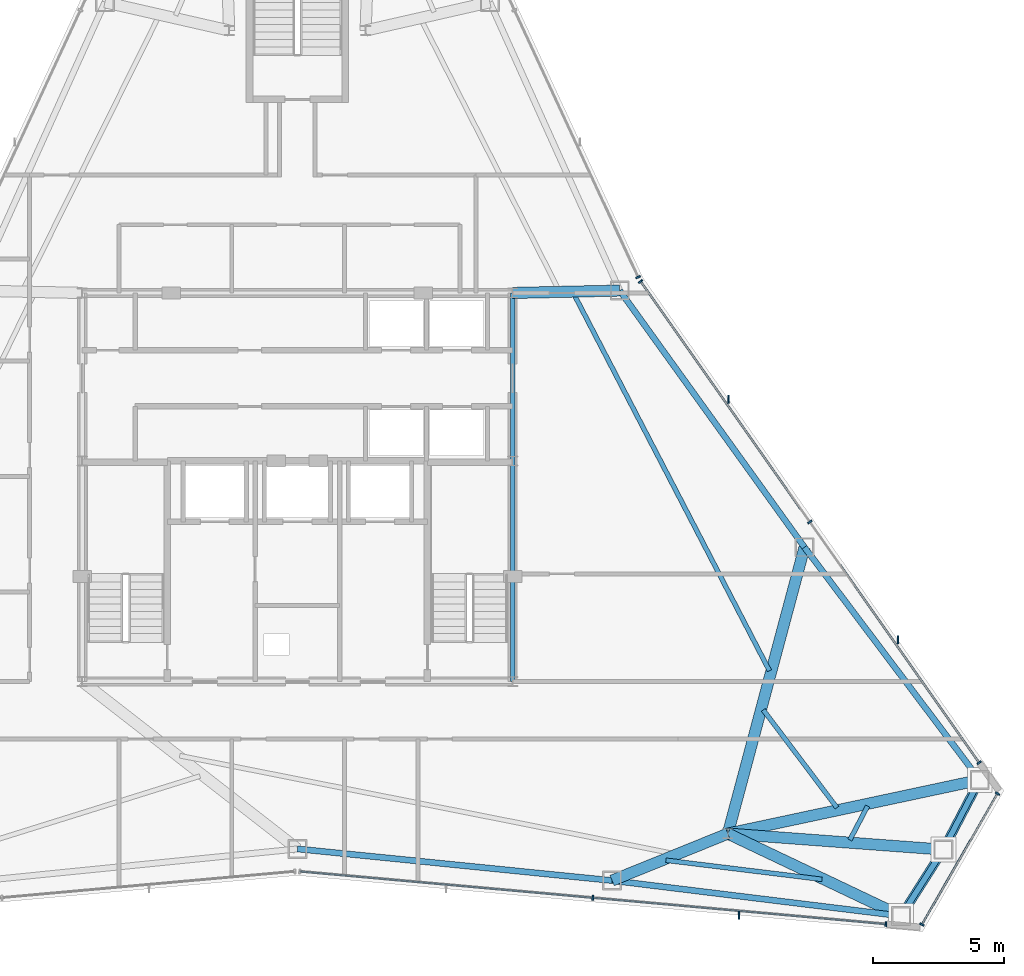
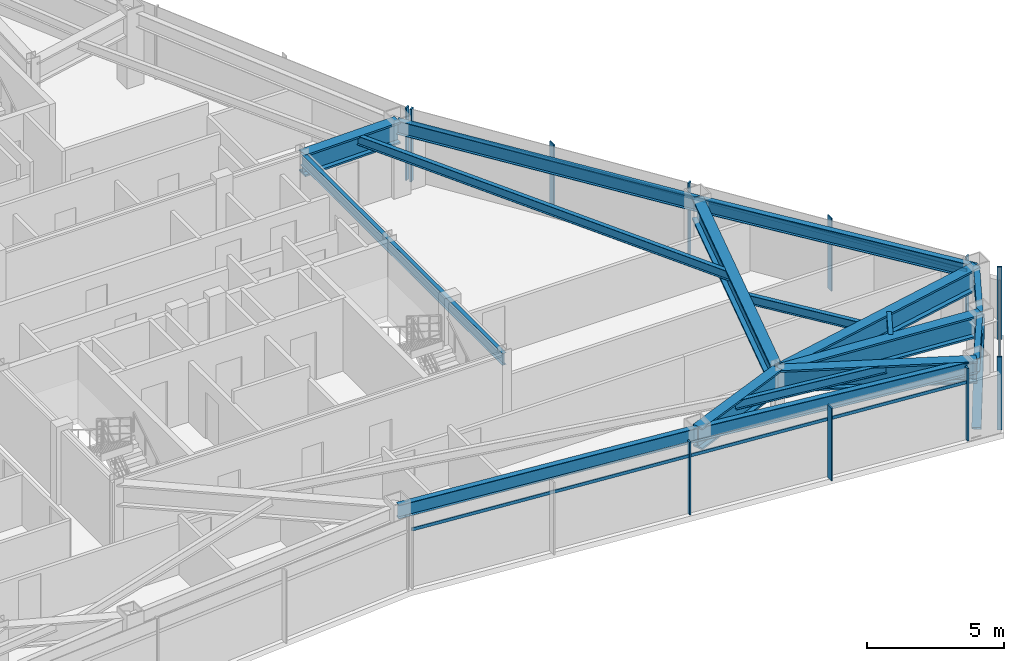
# One storey, part 6 of 12: 17 beams, 16 members, 4 elements without a shape of their own.
"""IFC4 building model written with IfcOpenShell, lengths in metres."""

from ifc_helpers import new_model, si_unit, direction, frame, origin, origin_2d, place, context, subcontext, project, spatial, rectangle, hollow_rectangle, i_section, extrude, source, transform, mapped, material, layer, layer_set, material_profile, profile_set, type_object, type_shapes, element, aggregate, save


model = new_model("IFC4")

# Units and contexts
model_context = context("Model", 3, precision=1e-05, world=origin(), true_north=direction((0.0, 1.0)))
body_context = subcontext(model_context, "Body", "Model", "MODEL_VIEW")
ifc_project = project(units=[si_unit("LENGTHUNIT", "METRE"), si_unit("AREAUNIT", "SQUARE_METRE"), si_unit("VOLUMEUNIT", "CUBIC_METRE"), si_unit("PLANEANGLEUNIT", "RADIAN"), si_unit("MASSUNIT", "GRAM", prefix="KILO")], contexts=[model_context])

# Site, building, storey
site_placement = place(None, origin())
site = spatial("IfcSite", under=ifc_project, at=site_placement, CompositionType="ELEMENT")
building_placement = place(site_placement, origin())
building = spatial("IfcBuilding", under=site, at=building_placement, Name="Varakhsha Concourse Tower", CompositionType="ELEMENT")
storey_placement = place(building_placement, frame((0.0, 0.0, 239.89990234375)))
storey = spatial("IfcBuildingStorey", under=building, at=storey_placement, Name="L68", CompositionType="ELEMENT", Elevation=239.89990234375)

# Beams
ifc_material_1 = material(Name="Structural Steel ASTM A992 Grade 50", Category="steel")
ifc_material_profile_1 = material_profile(ifc_material_1, i_section(OverallWidth=0.177978515625, OverallDepth=0.406982421875, WebThickness=0.008056640625, FlangeThickness=0.012939453125, at=origin_2d()), Name="W16X40")
ifc_profile_set_1 = profile_set([ifc_material_profile_1], Name="Structural Steel ASTM A992 Grade 50")
beam_type_1 = type_object("IfcBeamType", Name="BM-JST-W16X40", PredefinedType="JOIST", material=ifc_profile_set_1)
beam_1_placement = place(storey_placement, frame((54.03955078125, 9.585693359375, 3.046630859375), z_axis=(0.992566519859, -0.121703342826, 0.0), x_axis=(0.121703342826, 0.992566519859, 0.0)))
element("IfcBeam", 1, at=beam_1_placement, inside=storey, type_object=beam_type_1, Name="BM-TJST-L68-12", PredefinedType="JOIST", context=body_context, shape_type="SweptSolid", body=[
    extrude(i_section(OverallWidth=0.177978515625, OverallDepth=0.406982421875, WebThickness=0.008056640625, FlangeThickness=0.012939453125, at=origin_2d()), origin(), (0.0, 0.0, 1.0), 5.994140625),
])
beam_2_placement = place(storey_placement, frame((61.048583984375, 10.356689453125, 3.046630859375), z_axis=(0.463086787363, 0.886312939864, 0.0), x_axis=(-0.886312939864, 0.463086787363, 0.0)))
element("IfcBeam", 2, at=beam_2_placement, inside=storey, type_object=beam_type_1, Name="BM-TJST-L68-14", PredefinedType="JOIST", context=body_context, shape_type="SweptSolid", body=[
    extrude(i_section(OverallWidth=0.177978515625, OverallDepth=0.406982421875, WebThickness=0.008056640625, FlangeThickness=0.012939453125, at=origin_2d()), origin(), (0.0, 0.0, 1.0), 1.457763671875),
])
beam_3_placement = place(storey_placement, frame((60.556640625, 11.58837890625, 3.046630859375), z_axis=(-0.601690995235, 0.798728956689, 0.0), x_axis=(-0.798728956689, -0.601690995235, 0.0)))
element("IfcBeam", 3, at=beam_3_placement, inside=storey, type_object=beam_type_1, Name="BM-TJST-L68-15", PredefinedType="JOIST", context=body_context, shape_type="SweptSolid", body=[
    extrude(i_section(OverallWidth=0.177978515625, OverallDepth=0.406982421875, WebThickness=0.008056640625, FlangeThickness=0.012939453125, at=origin_2d()), origin(), (0.0, 0.0, 1.0), 4.66259765625),
])
beam_4_placement = place(storey_placement, frame((57.98486328125, 16.807373046875, 3.046630859375), z_axis=(-0.460773403454, 0.887517814283, 0.0), x_axis=(-0.887517814283, -0.460773403454, 0.0)))
element("IfcBeam", 4, at=beam_4_placement, inside=storey, type_object=beam_type_1, Name="BM-TJST-L68-16", PredefinedType="JOIST", context=body_context, shape_type="SweptSolid", body=[
    extrude(i_section(OverallWidth=0.177978515625, OverallDepth=0.406982421875, WebThickness=0.008056640625, FlangeThickness=0.012939453125, at=origin_2d()), origin(), (0.0, 0.0, 1.0), 16.1640625),
])
ifc_material_profile_2 = material_profile(ifc_material_1, i_section(OverallWidth=0.1669921875, OverallDepth=0.534912109375, WebThickness=0.010009765625, FlangeThickness=0.01708984375, at=origin_2d()), Name="W21X57")
ifc_profile_set_2 = profile_set([ifc_material_profile_2], Name="Structural Steel ASTM A992 Grade 50")
beam_type_2 = type_object("IfcBeamType", Name="BM-RAD-W21X57", PredefinedType="BEAM", material=ifc_profile_set_2)
beam_5_placement = place(storey_placement, frame((48.199951171875, 16.39990234375, 2.982666015625), z_axis=(0.0, 1.0, 0.0), x_axis=(-1.0, 0.0, 0.0)))
element("IfcBeam", 5, at=beam_5_placement, inside=storey, type_object=beam_type_2, Name="BM-TCORE-L68-CE", PredefinedType="BEAM", context=body_context, shape_type="SweptSolid", body=[
    extrude(i_section(OverallWidth=0.1669921875, OverallDepth=0.534912109375, WebThickness=0.010009765625, FlangeThickness=0.01708984375, at=origin_2d()), origin(), (0.0, 0.0, 1.0), 14.800048828125),
])
ifc_material_profile_3 = material_profile(ifc_material_1, i_section(OverallWidth=0.22900390625, OverallDepth=0.612060546875, WebThickness=0.011962890625, FlangeThickness=0.02001953125, at=origin_2d()), Name="W24X84")
ifc_profile_set_3 = profile_set([ifc_material_profile_3], Name="Structural Steel ASTM A992 Grade 50")
beam_type_3 = type_object("IfcBeamType", Name="BM-SPAN-W24X84", PredefinedType="SPANDREL", material=ifc_profile_set_3)
beam_6_placement = place(storey_placement, frame((40.0, 10.017578125, 2.944091796875), z_axis=(0.994986914397, -0.100005200763, 0.0), x_axis=(0.100005200763, 0.994986914397, 0.0)))
element("IfcBeam", 6, at=beam_6_placement, inside=storey, type_object=beam_type_3, Name="BM-SPAN-L68-11", PredefinedType="SPANDREL", context=body_context, shape_type="SweptSolid", body=[
    extrude(i_section(OverallWidth=0.22900390625, OverallDepth=0.612060546875, WebThickness=0.011962890625, FlangeThickness=0.02001953125, at=origin_2d()), origin(), (0.0, 0.0, 1.0), 12.050048828125),
])
beam_7_placement = place(storey_placement, frame((51.98974609375, 8.8125, 2.944091796875), z_axis=(0.99256557361, -0.121711059831, 0.0), x_axis=(0.121711059831, 0.99256557361, 0.0)))
element("IfcBeam", 7, at=beam_7_placement, inside=storey, type_object=beam_type_3, Name="BM-SPAN-L68-12", PredefinedType="SPANDREL", context=body_context, shape_type="SweptSolid", body=[
    extrude(i_section(OverallWidth=0.22900390625, OverallDepth=0.612060546875, WebThickness=0.011962890625, FlangeThickness=0.02001953125, at=origin_2d()), origin(), (0.0, 0.0, 1.0), 11.0966796875),
])
beam_8_placement = place(storey_placement, frame((63.00390625, 7.4619140625, 2.944091796875), z_axis=(0.536079112656, 0.84416774694, 0.0), x_axis=(-0.84416774694, 0.536079112656, 0.0)))
element("IfcBeam", 8, at=beam_8_placement, inside=storey, type_object=beam_type_3, Name="BM-SPAN-L68-13", PredefinedType="SPANDREL", context=body_context, shape_type="SweptSolid", body=[
    extrude(i_section(OverallWidth=0.22900390625, OverallDepth=0.612060546875, WebThickness=0.011962890625, FlangeThickness=0.02001953125, at=origin_2d()), origin(), (0.0, 0.0, 1.0), 2.99609375),
])
beam_9_placement = place(storey_placement, frame((64.610107421875, 9.9912109375, 2.944091796875), z_axis=(0.462983659194, 0.886366815331, 0.0), x_axis=(-0.886366815331, 0.462983659194, 0.0)))
element("IfcBeam", 9, at=beam_9_placement, inside=storey, type_object=beam_type_3, Name="BM-SPAN-L68-14", PredefinedType="SPANDREL", context=body_context, shape_type="SweptSolid", body=[
    extrude(i_section(OverallWidth=0.22900390625, OverallDepth=0.612060546875, WebThickness=0.011962890625, FlangeThickness=0.02001953125, at=origin_2d()), origin(), (0.0, 0.0, 1.0), 2.996337890625),
])
beam_10_placement = place(storey_placement, frame((65.997314453125, 12.64697265625, 2.944091796875), z_axis=(-0.601674316147, 0.79874152095, 0.0), x_axis=(-0.79874152095, -0.601674316147, 0.0)))
element("IfcBeam", 10, at=beam_10_placement, inside=storey, type_object=beam_type_3, Name="BM-SPAN-L68-15", PredefinedType="SPANDREL", context=body_context, shape_type="SweptSolid", body=[
    extrude(i_section(OverallWidth=0.22900390625, OverallDepth=0.612060546875, WebThickness=0.011962890625, FlangeThickness=0.02001953125, at=origin_2d()), origin(), (0.0, 0.0, 1.0), 11.096435546875),
])
beam_11_placement = place(storey_placement, frame((59.32080078125, 21.51025390625, 2.944091796875), z_axis=(-0.584099757456, 0.811681879396, 0.0), x_axis=(-0.811681879396, -0.584099757456, 0.0)))
element("IfcBeam", 11, at=beam_11_placement, inside=storey, type_object=beam_type_3, Name="BM-SPAN-L68-16", PredefinedType="SPANDREL", context=body_context, shape_type="SweptSolid", body=[
    extrude(i_section(OverallWidth=0.22900390625, OverallDepth=0.612060546875, WebThickness=0.011962890625, FlangeThickness=0.02001953125, at=origin_2d()), origin(), (0.0, 0.0, 1.0), 12.05029296875),
])
ifc_material_profile_4 = material_profile(ifc_material_1, i_section(OverallWidth=0.427978515625, OverallDepth=0.97509765625, WebThickness=0.050048828125, FlangeThickness=0.0810546875, at=origin_2d()), Name="W36X395")
ifc_profile_set_4 = profile_set([ifc_material_profile_4], Name="Structural Steel ASTM A992 Grade 50")
beam_type_4 = type_object("IfcBeamType", Name="BM-XFER-W36X395", PredefinedType="USERDEFINED", material=ifc_profile_set_4)
beam_12_placement = place(storey_placement, frame((56.39990234375, 10.60009765625, 2.7626953125), z_axis=(-0.926761474879, -0.375650327672, 0.0), x_axis=(0.375650327672, -0.926761474879, 0.0)))
element("IfcBeam", 12, at=beam_12_placement, inside=storey, type_object=beam_type_4, Name="L68 Radial Floor Girder 12", ObjectType="GIRDER", PredefinedType="USERDEFINED", context=body_context, shape_type="SweptSolid", body=[
    extrude(i_section(OverallWidth=0.427978515625, OverallDepth=0.97509765625, WebThickness=0.050048828125, FlangeThickness=0.0810546875, at=origin_2d()), origin(), (0.0, 0.0, 1.0), 4.7587890625),
])
beam_13_placement = place(storey_placement, frame((56.39990234375, 10.60009765625, 2.7626953125), z_axis=(0.903209554436, -0.429199837809, 0.0), x_axis=(0.429199837809, 0.903209554436, 0.0)))
element("IfcBeam", 13, at=beam_13_placement, inside=storey, type_object=beam_type_4, Name="L68 Radial Floor Girder 13", ObjectType="GIRDER", PredefinedType="USERDEFINED", context=body_context, shape_type="SweptSolid", body=[
    extrude(i_section(OverallWidth=0.427978515625, OverallDepth=0.97509765625, WebThickness=0.050048828125, FlangeThickness=0.0810546875, at=origin_2d()), origin(), (0.0, 0.0, 1.0), 7.311767578125),
])
beam_14_placement = place(storey_placement, frame((56.39990234375, 10.60009765625, 2.7626953125), z_axis=(0.997261277547, -0.073959071819, 0.0), x_axis=(0.073959071819, 0.997261277547, 0.0)))
element("IfcBeam", 14, at=beam_14_placement, inside=storey, type_object=beam_type_4, Name="L68 Radial Floor Girder 14", ObjectType="GIRDER", PredefinedType="USERDEFINED", context=body_context, shape_type="SweptSolid", body=[
    extrude(i_section(OverallWidth=0.427978515625, OverallDepth=0.97509765625, WebThickness=0.050048828125, FlangeThickness=0.0810546875, at=origin_2d()), origin(), (0.0, 0.0, 1.0), 8.232666015625),
])
beam_15_placement = place(storey_placement, frame((56.39990234375, 10.60009765625, 2.7626953125), z_axis=(0.978004747479, 0.208582630889, 0.0), x_axis=(-0.208582630889, 0.978004747479, 0.0)))
element("IfcBeam", 15, at=beam_15_placement, inside=storey, type_object=beam_type_4, Name="L68 Radial Floor Girder 15", ObjectType="GIRDER", PredefinedType="USERDEFINED", context=body_context, shape_type="SweptSolid", body=[
    extrude(i_section(OverallWidth=0.427978515625, OverallDepth=0.97509765625, WebThickness=0.050048828125, FlangeThickness=0.0810546875, at=origin_2d()), origin(), (0.0, 0.0, 1.0), 9.813232421875),
])
beam_16_placement = place(storey_placement, frame((56.39990234375, 10.60009765625, 2.7626953125), z_axis=(0.258615069027, 0.965980458432, 0.0), x_axis=(-0.965980458432, 0.258615069027, 0.0)))
element("IfcBeam", 16, at=beam_16_placement, inside=storey, type_object=beam_type_4, Name="L68 Radial Floor Girder 16", ObjectType="GIRDER", PredefinedType="USERDEFINED", context=body_context, shape_type="SweptSolid", body=[
    extrude(i_section(OverallWidth=0.427978515625, OverallDepth=0.97509765625, WebThickness=0.050048828125, FlangeThickness=0.0810546875, at=origin_2d()), origin(), (0.0, 0.0, 1.0), 11.29443359375),
])
beam_17_placement = place(storey_placement, frame((48.199951171875, 31.199951171875, 2.7626953125), z_axis=(0.99974995061, 0.022361490433, 0.0), x_axis=(-0.022361490433, 0.99974995061, 0.0)))
element("IfcBeam", 17, at=beam_17_placement, inside=storey, type_object=beam_type_4, Name="L68 Radial Floor Girder 17", ObjectType="GIRDER", PredefinedType="USERDEFINED", context=body_context, shape_type="SweptSolid", body=[
    extrude(i_section(OverallWidth=0.427978515625, OverallDepth=0.97509765625, WebThickness=0.050048828125, FlangeThickness=0.0810546875, at=origin_2d()), origin(), (0.0, 0.0, 1.0), 4.083251953125),
])

# Members
ifc_material_2 = material(Name="Structural Steel ASTM A500 Grade C", Category="steel")
ifc_material_profile_5 = material_profile(ifc_material_2, hollow_rectangle(XDim=0.35009765625, YDim=0.35009765625, WallThickness=0.01611328125, at=origin_2d()), Name="HSS 350x350x16")
ifc_profile_set_5 = profile_set([ifc_material_profile_5], Name="Structural Steel ASTM A500 Grade C")
member_type_1 = type_object("IfcMemberType", Name="MB-TUBE-HSS350", PredefinedType="BRACE", material=ifc_profile_set_5)
shared_shape_1 = source(origin(), body_context, "Body", "SweptSolid", [
    extrude(hollow_rectangle(XDim=0.35009765625, YDim=0.35009765625, WallThickness=0.01611328125, at=origin_2d()), origin(), (0.0, 0.0, 1.0), 4.12158203125),
])
type_shapes(member_type_1, [shared_shape_1])
for number, where, z_axis, x_axis, name in (
    (18, (63.00390625, 7.4619140625, 0.1201171875), (0.38971500648, 0.613687105507, 0.686666112648), (-0.84416774694, 0.536079112656, 0.0), "L68 Wind-Corner Tube Brace B05"),
    (19, (65.997314453125, 12.64697265625, 0.1201171875), (-0.336578258561, -0.644367880434, 0.686662297297), (0.886366815331, -0.462983659194, 0.0), "L68 Wind-Corner Tube Brace B06"),
):
    element("IfcMember", number, at=place(storey_placement, frame(where, z_axis=z_axis, x_axis=x_axis)), inside=storey, type_object=member_type_1, Name=name, PredefinedType="BRACE", context=body_context, shape_type="MappedRepresentation", body=[
        mapped(shared_shape_1, transform((0.0, 0.0, 0.0), scale=1.0)),
    ])

# Curtain wall, members
ifc_material_3 = material(Name="Anodised Bronze Architectural Aluminium AA 6063-T6", Category="aluminium")
ifc_layer = layer(ifc_material_3, 0.199951171875, Name="CW-SYS-05")
ifc_layer_set = layer_set([ifc_layer], Name="Anodised Bronze Architectural Aluminium AA 6063-T6")
curtain_wall_type = type_object("IfcCurtainWallType", Name="CW-SYS-05", PredefinedType="NOTDEFINED", material=ifc_layer_set)
curtain_wall_1_placement = place(storey_placement, origin())
curtain_wall_1 = element("IfcCurtainWall", 20, at=curtain_wall_1_placement, inside=storey, type_object=curtain_wall_type, Name="L68 Crystal Curtain Wall F6", PredefinedType="NOTDEFINED")
ifc_material_profile_6 = material_profile(ifc_material_3, rectangle(XDim=0.06494140625, YDim=0.179931640625, at=origin_2d()), Name="CWM-180X65")
ifc_profile_set_6 = profile_set([ifc_material_profile_6], Name="Anodised Bronze Architectural Aluminium AA 6063-T6")
member_type_2 = type_object("IfcMemberType", Name="CWM-180X65", PredefinedType="MULLION", material=ifc_profile_set_6)
shared_shape_2 = source(origin(), body_context, "Body", "SweptSolid", [
    extrude(rectangle(XDim=0.06494140625, YDim=0.179931640625, at=origin_2d()), origin(), (0.0, 0.0, 1.0), 3.25),
])
type_shapes(member_type_2, [shared_shape_2])
member_1_placement = place(storey_placement, frame((62.422119140625, 7.15283203125, 0.0), z_axis=(0.0, 0.0, 1.0), x_axis=(-0.995992823181, 0.089433193907, 0.0)))
member_1 = element("IfcMember", 21, at=member_1_placement, type_object=member_type_2, Name="CW-L68-F6 Mullion 00", PredefinedType="MULLION", context=body_context, shape_type="MappedRepresentation", body=[
    mapped(shared_shape_2, transform((0.0, 0.0, 0.0), scale=1.0)),
])
member_2_placement = place(storey_placement, frame((51.258056640625, 8.1552734375, 0.0), z_axis=(0.0, 0.0, 1.0), x_axis=(-0.995992823181, 0.089433193907, 0.0)))
member_2 = element("IfcMember", 22, at=member_2_placement, type_object=member_type_2, Name="CW-L68-F6 Mullion 01", PredefinedType="MULLION", context=body_context, shape_type="MappedRepresentation", body=[
    mapped(shared_shape_2, transform((0.0, 0.0, 0.0), scale=1.0)),
])

curtain_wall_2_placement = place(storey_placement, origin())
curtain_wall_2 = element("IfcCurtainWall", 23, at=curtain_wall_2_placement, inside=storey, type_object=curtain_wall_type, Name="L68 Chamfer Curtain Wall F7", PredefinedType="NOTDEFINED")
member_3_placement = place(storey_placement, frame((66.673583984375, 12.12548828125, 0.0), z_axis=(0.0, 0.0, 1.0), x_axis=(-0.499992442484, -0.866029767075, 0.0)))
member_3 = element("IfcMember", 24, at=member_3_placement, type_object=member_type_2, Name="CW-L68-F7 Mullion 00", PredefinedType="MULLION", context=body_context, shape_type="MappedRepresentation", body=[
    mapped(shared_shape_2, transform((0.0, 0.0, 0.0), scale=1.0)),
])
member_4_placement = place(storey_placement, frame((63.793701171875, 7.13720703125, 0.0), z_axis=(0.0, 0.0, 1.0), x_axis=(-0.499992442484, -0.866029767075, 0.0)))
member_4 = element("IfcMember", 25, at=member_4_placement, type_object=member_type_2, Name="CW-L68-F7 Mullion 01", PredefinedType="MULLION", context=body_context, shape_type="MappedRepresentation", body=[
    mapped(shared_shape_2, transform((0.0, 0.0, 0.0), scale=1.0)),
])

curtain_wall_3_placement = place(storey_placement, origin())
curtain_wall_3 = element("IfcCurtainWall", 26, at=curtain_wall_3_placement, inside=storey, type_object=curtain_wall_type, Name="L68 Crystal Curtain Wall F8", PredefinedType="NOTDEFINED")
member_5_placement = place(storey_placement, frame((53.073974609375, 31.6396484375, 0.0), z_axis=(0.0, 0.0, 1.0), x_axis=(0.575443547255, -0.817841502935, 0.0)))
member_5 = element("IfcMember", 27, at=member_5_placement, type_object=member_type_2, Name="CW-L68-F8 Mullion 00", PredefinedType="MULLION", context=body_context, shape_type="MappedRepresentation", body=[
    mapped(shared_shape_2, transform((0.0, 0.0, 0.0), scale=1.0)),
])
member_6_placement = place(storey_placement, frame((59.52392578125, 22.472412109375, 0.0), z_axis=(0.0, 0.0, 1.0), x_axis=(0.575443547255, -0.817841502935, 0.0)))
member_6 = element("IfcMember", 28, at=member_6_placement, type_object=member_type_2, Name="CW-L68-F8 Mullion 01", PredefinedType="MULLION", context=body_context, shape_type="MappedRepresentation", body=[
    mapped(shared_shape_2, transform((0.0, 0.0, 0.0), scale=1.0)),
])
member_7_placement = place(storey_placement, frame((65.97412109375, 13.305419921875, 0.0), z_axis=(0.0, 0.0, 1.0), x_axis=(0.575443547255, -0.817841502935, 0.0)))
member_7 = element("IfcMember", 29, at=member_7_placement, type_object=member_type_2, Name="CW-L68-F8 Mullion 02", PredefinedType="MULLION", context=body_context, shape_type="MappedRepresentation", body=[
    mapped(shared_shape_2, transform((0.0, 0.0, 0.0), scale=1.0)),
])

# Curtain wall, member
curtain_wall_4_placement = place(storey_placement, origin())
curtain_wall_4 = element("IfcCurtainWall", 30, at=curtain_wall_4_placement, inside=storey, type_object=curtain_wall_type, Name="L68 Crystal Curtain Wall F9", PredefinedType="NOTDEFINED")
member_8_placement = place(storey_placement, frame((52.97998046875, 31.802490234375, 0.0), z_axis=(0.0, 0.0, 1.0), x_axis=(0.420546577212, -0.907270949824, 0.0)))
member_8 = element("IfcMember", 31, at=member_8_placement, type_object=member_type_2, Name="CW-L68-F9 Mullion 02", PredefinedType="MULLION", context=body_context, shape_type="MappedRepresentation", body=[
    mapped(shared_shape_2, transform((0.0, 0.0, 0.0), scale=1.0)),
])
aggregate(curtain_wall_4, [member_8])

# Member
ifc_material_profile_7 = material_profile(ifc_material_3, rectangle(XDim=0.054931640625, YDim=0.300048828125, at=origin_2d()), Name="FIN-BRZ-300")
ifc_profile_set_7 = profile_set([ifc_material_profile_7], Name="Anodised Bronze Architectural Aluminium AA 6063-T6")
member_type_3 = type_object("IfcMemberType", Name="FIN-BRZ-300", PredefinedType="USERDEFINED", material=ifc_profile_set_7)
shared_shape_3 = source(origin(), body_context, "Body", "SweptSolid", [
    extrude(rectangle(XDim=0.054931640625, YDim=0.300048828125, at=origin_2d()), origin(), (0.0, 0.0, 1.0), 3.25),
])
type_shapes(member_type_3, [shared_shape_3])
member_9_placement = place(storey_placement, frame((56.825439453125, 7.48974609375, 0.0), z_axis=(0.0, 0.0, 1.0), x_axis=(1.0, 0.0, 0.0)))
member_9 = element("IfcMember", 32, at=member_9_placement, type_object=member_type_3, Name="L68 Anodised Bronze Solar Fin F6-1", ObjectType="SOLAR FIN", PredefinedType="USERDEFINED", context=body_context, shape_type="MappedRepresentation", body=[
    mapped(shared_shape_3, transform((0.0, 0.0, 0.0), scale=1.0)),
])

member_10_placement = place(storey_placement, frame((56.433837890625, 27.15087890625, 0.0), z_axis=(0.0, 0.0, 1.0), x_axis=(1.0, 0.0, 0.0)))
member_10 = element("IfcMember", 33, at=member_10_placement, type_object=member_type_3, Name="L68 Anodised Bronze Solar Fin F8-1", ObjectType="SOLAR FIN", PredefinedType="USERDEFINED", context=body_context, shape_type="MappedRepresentation", body=[
    mapped(shared_shape_3, transform((0.0, 0.0, 0.0), scale=1.0)),
])

member_11_placement = place(storey_placement, frame((62.884033203125, 17.98388671875, 0.0), z_axis=(0.0, 0.0, 1.0), x_axis=(1.0, 0.0, 0.0)))
member_11 = element("IfcMember", 34, at=member_11_placement, type_object=member_type_3, Name="L68 Anodised Bronze Solar Fin F8-2", ObjectType="SOLAR FIN", PredefinedType="USERDEFINED", context=body_context, shape_type="MappedRepresentation", body=[
    mapped(shared_shape_3, transform((0.0, 0.0, 0.0), scale=1.0)),
])

ifc_material_profile_8 = material_profile(ifc_material_3, rectangle(XDim=0.06005859375, YDim=0.139892578125, at=origin_2d()), Name="CWT-140X60")
ifc_profile_set_8 = profile_set([ifc_material_profile_8], Name="Anodised Bronze Architectural Aluminium AA 6063-T6")
member_type_4 = type_object("IfcMemberType", Name="CWT-140X60", PredefinedType="USERDEFINED", material=ifc_profile_set_8)
shared_shape_4 = source(origin(), body_context, "Body", "SweptSolid", [
    extrude(rectangle(XDim=0.06005859375, YDim=0.139892578125, at=origin_2d()), origin(), (0.0, 0.0, 1.0), 22.41796875),
])
member_12_placement = place(storey_placement, frame((62.422119140625, 7.15283203125, 2.60009765625), z_axis=(-0.995992929457, 0.08943201033, 0.0), x_axis=(-0.08943201033, -0.995992929457, 0.0)))
member_12 = element("IfcMember", 35, at=member_12_placement, type_object=member_type_4, Name="CW-L68-F6 Transom 01", ObjectType="TRANSOM", PredefinedType="USERDEFINED", context=body_context, shape_type="MappedRepresentation", body=[
    mapped(shared_shape_4, transform((0.0, 0.0, 0.0), scale=1.0)),
])

aggregate(curtain_wall_1, [member_1, member_2, member_12, member_9])

shared_shape_5 = source(origin(), body_context, "Body", "SweptSolid", [
    extrude(rectangle(XDim=0.06005859375, YDim=0.139892578125, at=origin_2d()), origin(), (0.0, 0.0, 1.0), 22.417724609375),
])
member_13_placement = place(storey_placement, frame((53.073974609375, 31.6396484375, 2.60009765625), z_axis=(0.575442149843, -0.81784248617, 0.0), x_axis=(0.81784248617, 0.575442149843, 0.0)))
member_13 = element("IfcMember", 36, at=member_13_placement, type_object=member_type_4, Name="CW-L68-F8 Transom 01", ObjectType="TRANSOM", PredefinedType="USERDEFINED", context=body_context, shape_type="MappedRepresentation", body=[
    mapped(shared_shape_5, transform((0.0, 0.0, 0.0), scale=1.0)),
])

aggregate(curtain_wall_3, [member_5, member_6, member_7, member_13, member_10, member_11])

shared_shape_6 = source(origin(), body_context, "Body", "SweptSolid", [
    extrude(rectangle(XDim=0.06005859375, YDim=0.139892578125, at=origin_2d()), origin(), (0.0, 0.0, 1.0), 5.760009765625),
])
type_shapes(member_type_4, [shared_shape_4, shared_shape_5, shared_shape_6])
member_14_placement = place(storey_placement, frame((66.673583984375, 12.12548828125, 2.60009765625), z_axis=(-0.499986626058, -0.866033125095, 0.0), x_axis=(0.866033125095, -0.499986626058, 0.0)))
member_14 = element("IfcMember", 37, at=member_14_placement, type_object=member_type_4, Name="CW-L68-F7 Transom 01", ObjectType="TRANSOM", PredefinedType="USERDEFINED", context=body_context, shape_type="MappedRepresentation", body=[
    mapped(shared_shape_6, transform((0.0, 0.0, 0.0), scale=1.0)),
])

aggregate(curtain_wall_2, [member_3, member_4, member_14])

save(model, "model.ifc")
